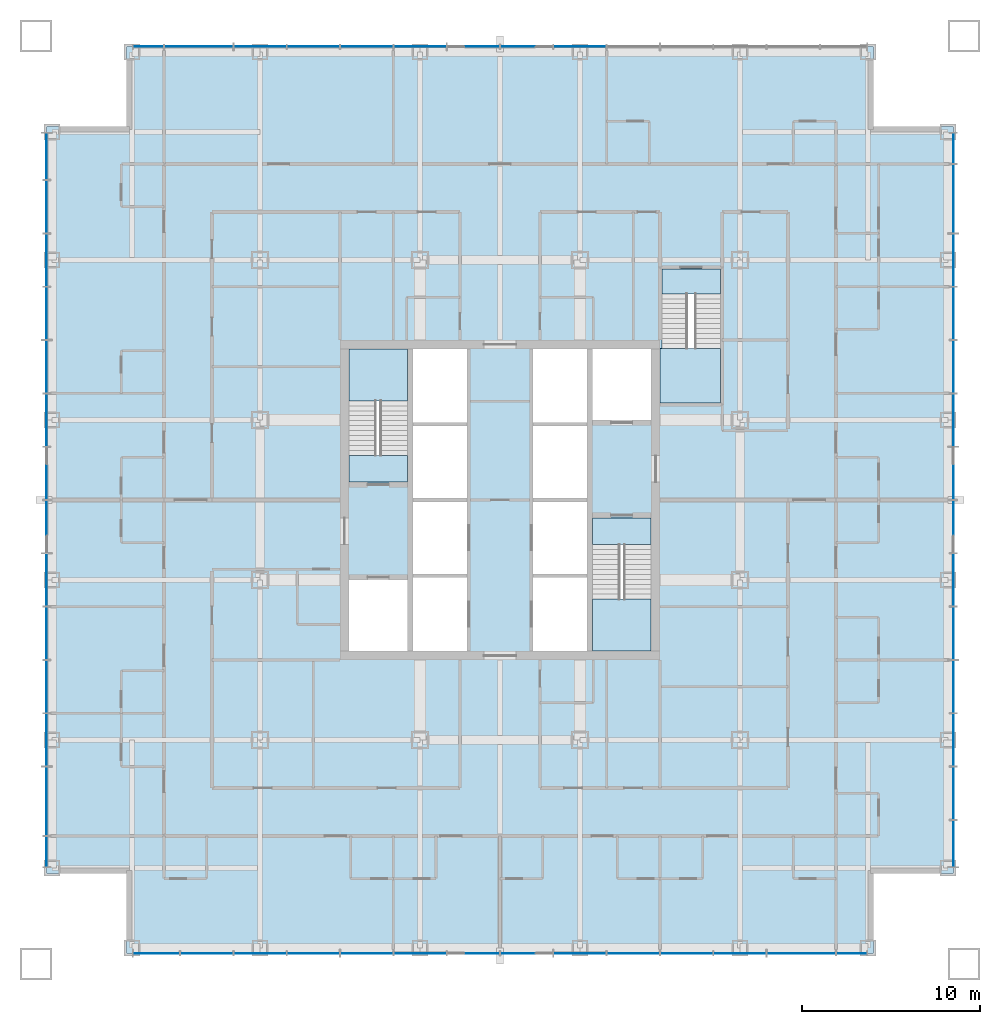
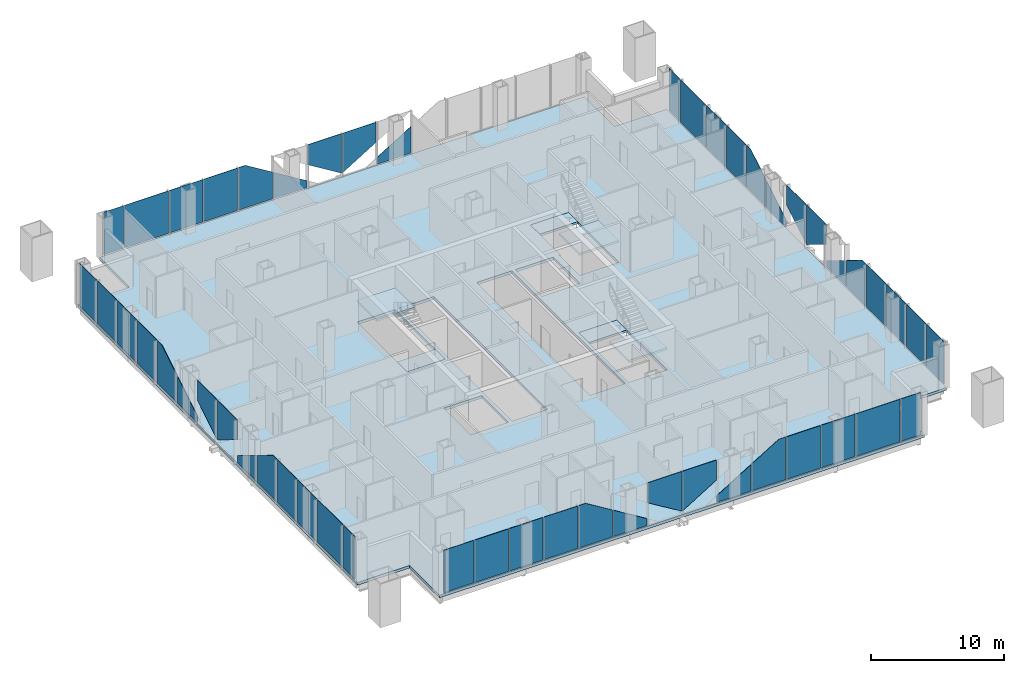
# One storey, part 6 of 13: 51 plates, 7 slabs, 7 elements without a shape of their own.
"""IFC4 building model written with IfcOpenShell, lengths in metres."""

from ifc_helpers import new_model, si_unit, direction, frame, origin, origin_2d, place, context, subcontext, project, spatial, polyline, rectangle, outline, extrude, material, layer, layer_set, type_object, element, aggregate, save


model = new_model("IFC4")

# Units and contexts
model_context = context("Model", 3, precision=1e-05, world=origin(), true_north=direction((0.0, 1.0)))
body_context = subcontext(model_context, "Body", "Model", "MODEL_VIEW")
ifc_project = project(units=[si_unit("LENGTHUNIT", "METRE"), si_unit("AREAUNIT", "SQUARE_METRE"), si_unit("VOLUMEUNIT", "CUBIC_METRE"), si_unit("PLANEANGLEUNIT", "RADIAN"), si_unit("MASSUNIT", "GRAM", prefix="KILO")], contexts=[model_context])

# Site, building, storey
site_placement = place(None, origin())
site = spatial("IfcSite", under=ifc_project, at=site_placement, CompositionType="ELEMENT")
building_placement = place(site_placement, origin())
building = spatial("IfcBuilding", under=site, at=building_placement, Name="Malebo Sky Hospital", CompositionType="ELEMENT")
storey_placement = place(building_placement, frame((0.0, 0.0, 79.0)))
storey = spatial("IfcBuildingStorey", under=building, at=storey_placement, Name="L18", CompositionType="ELEMENT", Elevation=79.0)

# Slab
ifc_material_1 = material(Name="Concrete C40/50", Category="concrete")
ifc_layer_1 = layer(ifc_material_1, 0.25)
ifc_layer_set_1 = layer_set([ifc_layer_1], Name="COMPOSITE FLOOR SLAB 250")
slab_type_1 = type_object("IfcSlabType", Name="COMPOSITE FLOOR SLAB 250", PredefinedType="FLOOR", material=ifc_layer_set_1)
slab_1_placement = place(storey_placement, frame((0.0, 0.0, -0.25)))
element("IfcSlab", 1, at=slab_1_placement, inside=storey, type_object=slab_type_1, Name="Floor slab L18", PredefinedType="FLOOR", context=body_context, shape_type="SweptSolid", body=[
    extrude(outline(polyline([(39.0, 87.5), (39.0, 83.0), (34.5, 83.0), (34.5, 41.0), (39.0, 41.0), (39.0, 36.5), (81.0, 36.5), (81.0, 41.0), (85.5, 41.0), (85.5, 83.0), (81.0, 83.0), (81.0, 87.5), (39.0, 87.5)]), holes=[polyline([(55.10009765625, 70.5), (58.14990234375, 70.5), (58.14990234375, 53.5), (55.10009765625, 53.5), (55.10009765625, 70.5)]), polyline([(64.89990234375, 70.5), (64.89990234375, 53.5), (61.85009765625, 53.5), (61.85009765625, 70.5), (64.89990234375, 70.5)]), polyline([(54.800048828125, 63.0), (51.5, 63.0), (51.5, 70.5), (54.800048828125, 70.5), (54.800048828125, 63.0)]), polyline([(51.5, 53.5), (51.5, 57.5), (54.800048828125, 57.5), (54.800048828125, 53.5), (51.5, 53.5)]), polyline([(65.199951171875, 61.0), (68.5, 61.0), (68.5, 53.5), (65.199951171875, 53.5), (65.199951171875, 61.0)]), polyline([(68.5, 70.5), (68.5, 66.5), (65.199951171875, 66.5), (65.199951171875, 70.5), (68.5, 70.5)]), polyline([(69.0, 67.449951171875), (69.0, 70.52001953125), (69.10009765625, 70.52001953125), (69.10009765625, 75.0), (72.39990234375, 75.0), (72.39990234375, 67.449951171875), (69.10009765625, 67.449951171875), (69.0, 67.449951171875)])]), origin(), (0.0, 0.0, 1.0), 0.25),
])

# Stair, slabs
stair_type_1 = type_object("IfcStairType", Name="HALF-TURN STAIR 1500 R167", PredefinedType="HALF_TURN_STAIR", material=ifc_material_1)
stair_1_placement = place(storey_placement, origin())
stair_1 = element("IfcStair", 2, at=stair_1_placement, inside=storey, type_object=stair_type_1, Name="Stair S1 L18 type ST1", PredefinedType="HALF_TURN_STAIR")
ifc_layer_2 = layer(ifc_material_1, 0.199951171875)
ifc_layer_set_2 = layer_set([ifc_layer_2], Name="STAIR LANDING 200")
slab_type_2 = type_object("IfcSlabType", Name="STAIR LANDING 200", PredefinedType="LANDING", material=ifc_layer_set_2)
slab_2_placement = place(storey_placement, frame((0.0, 0.0, -0.199951171875)))
slab_2 = element("IfcSlab", 3, at=slab_2_placement, type_object=slab_type_2, Name="S1 landing 1", PredefinedType="LANDING", context=body_context, shape_type="SweptSolid", body=[
    extrude(outline(polyline([(51.5, 63.0), (54.800048828125, 63.0), (54.800048828125, 64.5), (51.5, 64.5), (51.5, 63.0)])), origin(), (0.0, 0.0, 1.0), 0.199951171875),
])
slab_3_placement = place(storey_placement, frame((0.0, 0.0, 1.800048828125)))
slab_3 = element("IfcSlab", 4, at=slab_3_placement, type_object=slab_type_2, Name="S1 landing 2", PredefinedType="LANDING", context=body_context, shape_type="SweptSolid", body=[
    extrude(outline(polyline([(51.5, 67.580078125), (54.800048828125, 67.580078125), (54.800048828125, 70.5), (51.5, 70.5), (51.5, 67.580078125)])), origin(), (0.0, 0.0, 1.0), 0.199951171875),
])
aggregate(stair_1, [slab_2, slab_3])

stair_2_placement = place(storey_placement, origin())
stair_2 = element("IfcStair", 5, at=stair_2_placement, inside=storey, type_object=stair_type_1, Name="Stair S2 L18 type ST1", PredefinedType="HALF_TURN_STAIR")
slab_4_placement = place(storey_placement, frame((0.0, 0.0, -0.199951171875)))
slab_4 = element("IfcSlab", 6, at=slab_4_placement, type_object=slab_type_2, Name="S2 landing 1", PredefinedType="LANDING", context=body_context, shape_type="SweptSolid", body=[
    extrude(outline(polyline([(65.199951171875, 59.5), (68.5, 59.5), (68.5, 61.0), (65.199951171875, 61.0), (65.199951171875, 59.5)])), origin(), (0.0, 0.0, 1.0), 0.199951171875),
])
slab_5_placement = place(storey_placement, frame((0.0, 0.0, 1.800048828125)))
slab_5 = element("IfcSlab", 7, at=slab_5_placement, type_object=slab_type_2, Name="S2 landing 2", PredefinedType="LANDING", context=body_context, shape_type="SweptSolid", body=[
    extrude(outline(polyline([(65.199951171875, 53.5), (68.5, 53.5), (68.5, 56.419921875), (65.199951171875, 56.419921875), (65.199951171875, 53.5)])), origin(), (0.0, 0.0, 1.0), 0.199951171875),
])
aggregate(stair_2, [slab_4, slab_5])

stair_type_2 = type_object("IfcStairType", Name="HALF-TURN STAIR 1400 R167", PredefinedType="HALF_TURN_STAIR", material=ifc_material_1)
stair_3_placement = place(storey_placement, origin())
stair_3 = element("IfcStair", 8, at=stair_3_placement, inside=storey, type_object=stair_type_2, Name="Stair S3 L18 type ST1B", PredefinedType="HALF_TURN_STAIR")
slab_6_placement = place(storey_placement, frame((0.0, 0.0, -0.199951171875)))
slab_6 = element("IfcSlab", 9, at=slab_6_placement, type_object=slab_type_2, Name="S3 landing 1", PredefinedType="LANDING", context=body_context, shape_type="SweptSolid", body=[
    extrude(outline(polyline([(69.10009765625, 73.60009765625), (72.39990234375, 73.60009765625), (72.39990234375, 75.0), (69.10009765625, 75.0), (69.10009765625, 73.60009765625)])), origin(), (0.0, 0.0, 1.0), 0.199951171875),
])
slab_7_placement = place(storey_placement, frame((0.0, 0.0, 1.800048828125)))
slab_7 = element("IfcSlab", 10, at=slab_7_placement, type_object=slab_type_2, Name="S3 landing 2", PredefinedType="LANDING", context=body_context, shape_type="SweptSolid", body=[
    extrude(outline(polyline([(69.0, 67.449951171875), (72.39990234375, 67.449951171875), (72.39990234375, 70.52001953125), (69.0, 70.52001953125), (69.0, 67.449951171875)])), origin(), (0.0, 0.0, 1.0), 0.199951171875),
])
aggregate(stair_3, [slab_6, slab_7])

# Curtain wall, plates
ifc_material_2 = material(Name="Anodised aluminium, natural silver", Category="aluminium")
ifc_layer_3 = layer(ifc_material_2, 0.25)
ifc_layer_set_3 = layer_set([ifc_layer_3], Name="WARD CURTAIN WALL NORTH AND SOUTH")
curtain_wall_type_1 = type_object("IfcCurtainWallType", Name="WARD CURTAIN WALL NORTH AND SOUTH", PredefinedType="NOTDEFINED", material=ifc_layer_set_3)
curtain_wall_1_placement = place(storey_placement, origin())
curtain_wall_1 = element("IfcCurtainWall", 11, at=curtain_wall_1_placement, inside=storey, type_object=curtain_wall_type_1, Name="NS curtain wall N", PredefinedType="NOTDEFINED")
ifc_material_3 = material(Name="Clear low-iron double glazing", Category="glass")
ifc_layer_4 = layer(ifc_material_3, 0.031982421875)
ifc_layer_set_4 = layer_set([ifc_layer_4], Name="VISION PANEL CLEAR 32")
plate_type = type_object("IfcPlateType", Name="VISION PANEL CLEAR 32", PredefinedType="CURTAIN_PANEL", material=ifc_layer_set_4)
plate_1_placement = place(storey_placement, frame((40.21875, 87.5, 0.10009765625), z_axis=(0.0, 0.0, 1.0), x_axis=(1.0, 0.0, 0.0)))
plate_1 = element("IfcPlate", 12, at=plate_1_placement, type_object=plate_type, Name="Panel 1", PredefinedType="CURTAIN_PANEL", context=body_context, shape_type="SweptSolid", body=[
    extrude(rectangle(XDim=1.6875, YDim=0.031982421875, at=origin_2d()), origin(), (0.0, 0.0, 1.0), 3.889892578125),
])
plate_2_placement = place(storey_placement, frame((43.050048828125, 87.5, 0.10009765625), z_axis=(0.0, 0.0, 1.0), x_axis=(1.0, 0.0, 0.0)))
plate_2 = element("IfcPlate", 13, at=plate_2_placement, type_object=plate_type, Name="Panel 2", PredefinedType="CURTAIN_PANEL", context=body_context, shape_type="SweptSolid", body=[
    extrude(rectangle(XDim=3.824951171875, YDim=0.031982421875, at=origin_2d()), origin(), (0.0, 0.0, 1.0), 3.889892578125),
])
plate_3_placement = place(storey_placement, frame((46.5, 87.5, 0.10009765625), z_axis=(0.0, 0.0, 1.0), x_axis=(1.0, 0.0, 0.0)))
plate_3 = element("IfcPlate", 14, at=plate_3_placement, type_object=plate_type, Name="Panel 3", PredefinedType="CURTAIN_PANEL", context=body_context, shape_type="SweptSolid", body=[
    extrude(rectangle(XDim=2.925048828125, YDim=0.031982421875, at=origin_2d()), origin(), (0.0, 0.0, 1.0), 3.889892578125),
])
plate_4_placement = place(storey_placement, frame((49.5, 87.5, 0.10009765625), z_axis=(0.0, 0.0, 1.0), x_axis=(1.0, 0.0, 0.0)))
plate_4 = element("IfcPlate", 15, at=plate_4_placement, type_object=plate_type, Name="Panel 4", PredefinedType="CURTAIN_PANEL", context=body_context, shape_type="SweptSolid", body=[
    extrude(rectangle(XDim=2.925048828125, YDim=0.031982421875, at=origin_2d()), origin(), (0.0, 0.0, 1.0), 3.889892578125),
])
plate_5_placement = place(storey_placement, frame((52.5, 87.5, 0.10009765625), z_axis=(0.0, 0.0, 1.0), x_axis=(1.0, 0.0, 0.0)))
plate_5 = element("IfcPlate", 16, at=plate_5_placement, type_object=plate_type, Name="Panel 5", PredefinedType="CURTAIN_PANEL", context=body_context, shape_type="SweptSolid", body=[
    extrude(outline(polyline([(-1.46240234375, 0.0), (1.46240234375, 0.0), (1.46240234375, 2.467529296875), (-0.85791015625, 3.889892578125), (-1.46240234375, 3.889892578125), (-1.46240234375, 0.0)])), frame((0.0, 0.01611328125, 0.0), z_axis=(0.0, -1.0, 0.0), x_axis=(1.0, 0.0, 0.0)), (0.0, 0.0, 1.0), 0.031982421875),
])
plate_6_placement = place(storey_placement, frame((55.5, 87.5, 0.10009765625), z_axis=(0.0, 0.0, 1.0), x_axis=(1.0, 0.0, 0.0)))
plate_6 = element("IfcPlate", 17, at=plate_6_placement, type_object=plate_type, Name="Panel 6", PredefinedType="CURTAIN_PANEL", context=body_context, shape_type="SweptSolid", body=[
    extrude(outline(polyline([(-1.46240234375, 0.0), (1.46240234375, 0.0), (1.46240234375, 0.62841796875), (-1.46240234375, 2.421630859375), (-1.46240234375, 0.0)])), frame((0.0, 0.01611328125, 0.0), z_axis=(0.0, -1.0, 0.0), x_axis=(1.0, 0.0, 0.0)), (0.0, 0.0, 1.0), 0.031982421875),
])
plate_7_placement = place(storey_placement, frame((58.5, 87.5, 0.356689453125), z_axis=(0.0, 0.0, 1.0), x_axis=(1.0, 0.0, 0.0)))
plate_7 = element("IfcPlate", 18, at=plate_7_placement, type_object=plate_type, Name="Panel 7", PredefinedType="CURTAIN_PANEL", context=body_context, shape_type="SweptSolid", body=[
    extrude(outline(polyline([(1.46240234375, 0.0), (1.46240234375, 3.63330078125), (-1.46240234375, 3.63330078125), (-1.46240234375, 1.793212890625), (1.46240234375, 0.0)])), frame((0.0, 0.01611328125, 0.0), z_axis=(0.0, -1.0, 0.0), x_axis=(1.0, 0.0, 0.0)), (0.0, 0.0, 1.0), 0.031982421875),
])
plate_8_placement = place(storey_placement, frame((61.5, 87.5, 0.356689453125), z_axis=(0.0, 0.0, 1.0), x_axis=(1.0, 0.0, 0.0)))
plate_8 = element("IfcPlate", 19, at=plate_8_placement, type_object=plate_type, Name="Panel 8", PredefinedType="CURTAIN_PANEL", context=body_context, shape_type="SweptSolid", body=[
    extrude(outline(polyline([(-1.46240234375, 0.0), (1.46240234375, 1.793212890625), (1.46240234375, 3.63330078125), (-1.46240234375, 3.63330078125), (-1.46240234375, 0.0)])), frame((0.0, 0.01611328125, 0.0), z_axis=(0.0, -1.0, 0.0), x_axis=(1.0, 0.0, 0.0)), (0.0, 0.0, 1.0), 0.031982421875),
])
plate_9_placement = place(storey_placement, frame((64.5, 87.5, 0.10009765625), z_axis=(0.0, 0.0, 1.0), x_axis=(1.0, 0.0, 0.0)))
plate_9 = element("IfcPlate", 20, at=plate_9_placement, type_object=plate_type, Name="Panel 9", PredefinedType="CURTAIN_PANEL", context=body_context, shape_type="SweptSolid", body=[
    extrude(outline(polyline([(-1.46240234375, 0.0), (1.46240234375, 0.0), (1.46240234375, 2.421630859375), (-1.46240234375, 0.62841796875), (-1.46240234375, 0.0)])), frame((0.0, 0.01611328125, 0.0), z_axis=(0.0, -1.0, 0.0), x_axis=(1.0, 0.0, 0.0)), (0.0, 0.0, 1.0), 0.031982421875),
])
aggregate(curtain_wall_1, [plate_1, plate_2, plate_3, plate_4, plate_5, plate_6, plate_7, plate_8, plate_9])

ifc_layer_5 = layer(ifc_material_2, 0.25)
ifc_layer_set_5 = layer_set([ifc_layer_5], Name="WARD CURTAIN WALL EAST AND WEST")
curtain_wall_type_2 = type_object("IfcCurtainWallType", Name="WARD CURTAIN WALL EAST AND WEST", PredefinedType="NOTDEFINED", material=ifc_layer_set_5)
curtain_wall_2_placement = place(storey_placement, origin())
curtain_wall_2 = element("IfcCurtainWall", 21, at=curtain_wall_2_placement, inside=storey, type_object=curtain_wall_type_2, Name="EW curtain wall W", PredefinedType="NOTDEFINED")
plate_10_placement = place(storey_placement, frame((34.5, 42.21875, 0.10009765625), z_axis=(0.0, 0.0, 1.0), x_axis=(0.0, 1.0, 0.0)))
plate_10 = element("IfcPlate", 22, at=plate_10_placement, type_object=plate_type, Name="Panel 1", PredefinedType="CURTAIN_PANEL", context=body_context, shape_type="SweptSolid", body=[
    extrude(rectangle(XDim=1.6875, YDim=0.031982421875, at=origin_2d()), origin(), (0.0, 0.0, 1.0), 3.889892578125),
])
plate_11_placement = place(storey_placement, frame((34.5, 45.050048828125, 0.10009765625), z_axis=(0.0, 0.0, 1.0), x_axis=(0.0, 1.0, 0.0)))
plate_11 = element("IfcPlate", 23, at=plate_11_placement, type_object=plate_type, Name="Panel 2", PredefinedType="CURTAIN_PANEL", context=body_context, shape_type="SweptSolid", body=[
    extrude(rectangle(XDim=3.824951171875, YDim=0.031982421875, at=origin_2d()), origin(), (0.0, 0.0, 1.0), 3.889892578125),
])
plate_12_placement = place(storey_placement, frame((34.5, 48.5, 0.10009765625), z_axis=(0.0, 0.0, 1.0), x_axis=(0.0, 1.0, 0.0)))
plate_12 = element("IfcPlate", 24, at=plate_12_placement, type_object=plate_type, Name="Panel 3", PredefinedType="CURTAIN_PANEL", context=body_context, shape_type="SweptSolid", body=[
    extrude(rectangle(XDim=2.925048828125, YDim=0.031982421875, at=origin_2d()), origin(), (0.0, 0.0, 1.0), 3.889892578125),
])
plate_13_placement = place(storey_placement, frame((34.5, 51.5, 0.10009765625), z_axis=(0.0, 0.0, 1.0), x_axis=(0.0, 1.0, 0.0)))
plate_13 = element("IfcPlate", 25, at=plate_13_placement, type_object=plate_type, Name="Panel 4", PredefinedType="CURTAIN_PANEL", context=body_context, shape_type="SweptSolid", body=[
    extrude(rectangle(XDim=2.925048828125, YDim=0.031982421875, at=origin_2d()), origin(), (0.0, 0.0, 1.0), 3.889892578125),
])
plate_14_placement = place(storey_placement, frame((34.5, 54.5, 0.10009765625), z_axis=(0.0, 0.0, 1.0), x_axis=(0.0, 1.0, 0.0)))
plate_14 = element("IfcPlate", 26, at=plate_14_placement, type_object=plate_type, Name="Panel 5", PredefinedType="CURTAIN_PANEL", context=body_context, shape_type="SweptSolid", body=[
    extrude(outline(polyline([(-1.46240234375, 0.0), (1.46240234375, 0.0), (1.46240234375, 2.467529296875), (-0.85791015625, 3.889892578125), (-1.46240234375, 3.889892578125), (-1.46240234375, 0.0)])), frame((0.0, 0.01611328125, 0.0), z_axis=(0.0, -1.0, 0.0), x_axis=(1.0, 0.0, 0.0)), (0.0, 0.0, 1.0), 0.031982421875),
])
plate_15_placement = place(storey_placement, frame((34.5, 57.5, 0.10009765625), z_axis=(0.0, 0.0, 1.0), x_axis=(0.0, 1.0, 0.0)))
plate_15 = element("IfcPlate", 27, at=plate_15_placement, type_object=plate_type, Name="Panel 6", PredefinedType="CURTAIN_PANEL", context=body_context, shape_type="SweptSolid", body=[
    extrude(outline(polyline([(-1.46240234375, 0.0), (1.46240234375, 0.0), (1.46240234375, 0.62841796875), (-1.46240234375, 2.421630859375), (-1.46240234375, 0.0)])), frame((0.0, 0.01611328125, 0.0), z_axis=(0.0, -1.0, 0.0), x_axis=(1.0, 0.0, 0.0)), (0.0, 0.0, 1.0), 0.031982421875),
])
plate_16_placement = place(storey_placement, frame((34.5, 60.5, 0.356689453125), z_axis=(0.0, 0.0, 1.0), x_axis=(0.0, 1.0, 0.0)))
plate_16 = element("IfcPlate", 28, at=plate_16_placement, type_object=plate_type, Name="Panel 7", PredefinedType="CURTAIN_PANEL", context=body_context, shape_type="SweptSolid", body=[
    extrude(outline(polyline([(1.46240234375, 0.0), (1.46240234375, 3.63330078125), (-1.46240234375, 3.63330078125), (-1.46240234375, 1.793212890625), (1.46240234375, 0.0)])), frame((0.0, 0.01611328125, 0.0), z_axis=(0.0, -1.0, 0.0), x_axis=(1.0, 0.0, 0.0)), (0.0, 0.0, 1.0), 0.031982421875),
])
plate_17_placement = place(storey_placement, frame((34.5, 63.5, 0.356689453125), z_axis=(0.0, 0.0, 1.0), x_axis=(0.0, 1.0, 0.0)))
plate_17 = element("IfcPlate", 29, at=plate_17_placement, type_object=plate_type, Name="Panel 8", PredefinedType="CURTAIN_PANEL", context=body_context, shape_type="SweptSolid", body=[
    extrude(outline(polyline([(-1.46240234375, 0.0), (1.46240234375, 1.793212890625), (1.46240234375, 3.63330078125), (-1.46240234375, 3.63330078125), (-1.46240234375, 0.0)])), frame((0.0, 0.01611328125, 0.0), z_axis=(0.0, -1.0, 0.0), x_axis=(1.0, 0.0, 0.0)), (0.0, 0.0, 1.0), 0.031982421875),
])
plate_18_placement = place(storey_placement, frame((34.5, 66.5, 0.10009765625), z_axis=(0.0, 0.0, 1.0), x_axis=(0.0, 1.0, 0.0)))
plate_18 = element("IfcPlate", 30, at=plate_18_placement, type_object=plate_type, Name="Panel 9", PredefinedType="CURTAIN_PANEL", context=body_context, shape_type="SweptSolid", body=[
    extrude(outline(polyline([(-1.46240234375, 0.0), (1.46240234375, 0.0), (1.46240234375, 2.421630859375), (-1.46240234375, 0.62841796875), (-1.46240234375, 0.0)])), frame((0.0, 0.01611328125, 0.0), z_axis=(0.0, -1.0, 0.0), x_axis=(1.0, 0.0, 0.0)), (0.0, 0.0, 1.0), 0.031982421875),
])
plate_19_placement = place(storey_placement, frame((34.5, 69.5, 0.10009765625), z_axis=(0.0, 0.0, 1.0), x_axis=(0.0, 1.0, 0.0)))
plate_19 = element("IfcPlate", 31, at=plate_19_placement, type_object=plate_type, Name="Panel 10", PredefinedType="CURTAIN_PANEL", context=body_context, shape_type="SweptSolid", body=[
    extrude(outline(polyline([(-1.46240234375, 0.0), (1.46240234375, 0.0), (1.46240234375, 3.889892578125), (0.85791015625, 3.889892578125), (-1.46240234375, 2.467529296875), (-1.46240234375, 0.0)])), frame((0.0, 0.01611328125, 0.0), z_axis=(0.0, -1.0, 0.0), x_axis=(1.0, 0.0, 0.0)), (0.0, 0.0, 1.0), 0.031982421875),
])
plate_20_placement = place(storey_placement, frame((34.5, 72.5, 0.10009765625), z_axis=(0.0, 0.0, 1.0), x_axis=(0.0, 1.0, 0.0)))
plate_20 = element("IfcPlate", 32, at=plate_20_placement, type_object=plate_type, Name="Panel 11", PredefinedType="CURTAIN_PANEL", context=body_context, shape_type="SweptSolid", body=[
    extrude(rectangle(XDim=2.925048828125, YDim=0.031982421875, at=origin_2d()), origin(), (0.0, 0.0, 1.0), 3.889892578125),
])
plate_21_placement = place(storey_placement, frame((34.5, 75.5, 0.10009765625), z_axis=(0.0, 0.0, 1.0), x_axis=(0.0, 1.0, 0.0)))
plate_21 = element("IfcPlate", 33, at=plate_21_placement, type_object=plate_type, Name="Panel 12", PredefinedType="CURTAIN_PANEL", context=body_context, shape_type="SweptSolid", body=[
    extrude(rectangle(XDim=2.925048828125, YDim=0.031982421875, at=origin_2d()), origin(), (0.0, 0.0, 1.0), 3.889892578125),
])
plate_22_placement = place(storey_placement, frame((34.5, 78.5, 0.10009765625), z_axis=(0.0, 0.0, 1.0), x_axis=(0.0, 1.0, 0.0)))
plate_22 = element("IfcPlate", 34, at=plate_22_placement, type_object=plate_type, Name="Panel 13", PredefinedType="CURTAIN_PANEL", context=body_context, shape_type="SweptSolid", body=[
    extrude(rectangle(XDim=2.925048828125, YDim=0.031982421875, at=origin_2d()), origin(), (0.0, 0.0, 1.0), 3.889892578125),
])
plate_23_placement = place(storey_placement, frame((34.5, 81.331298828125, 0.10009765625), z_axis=(0.0, 0.0, 1.0), x_axis=(0.0, 1.0, 0.0)))
plate_23 = element("IfcPlate", 35, at=plate_23_placement, type_object=plate_type, Name="Panel 14", PredefinedType="CURTAIN_PANEL", context=body_context, shape_type="SweptSolid", body=[
    extrude(rectangle(XDim=2.58740234375, YDim=0.031982421875, at=origin_2d()), origin(), (0.0, 0.0, 1.0), 3.889892578125),
])
aggregate(curtain_wall_2, [plate_10, plate_11, plate_12, plate_13, plate_14, plate_15, plate_16, plate_17, plate_18, plate_19, plate_20, plate_21, plate_22, plate_23])

curtain_wall_3_placement = place(storey_placement, origin())
curtain_wall_3 = element("IfcCurtainWall", 36, at=curtain_wall_3_placement, inside=storey, type_object=curtain_wall_type_1, Name="NS curtain wall S", PredefinedType="NOTDEFINED")
plate_24_placement = place(storey_placement, frame((79.78125, 36.5, 0.10009765625), z_axis=(0.0, 0.0, 1.0), x_axis=(-1.0, 0.0, 0.0)))
plate_24 = element("IfcPlate", 37, at=plate_24_placement, type_object=plate_type, Name="Panel 1", PredefinedType="CURTAIN_PANEL", context=body_context, shape_type="SweptSolid", body=[
    extrude(rectangle(XDim=1.6875, YDim=0.031982421875, at=origin_2d()), origin(), (0.0, 0.0, 1.0), 3.889892578125),
])
plate_25_placement = place(storey_placement, frame((76.949951171875, 36.5, 0.10009765625), z_axis=(0.0, 0.0, 1.0), x_axis=(-1.0, 0.0, 0.0)))
plate_25 = element("IfcPlate", 38, at=plate_25_placement, type_object=plate_type, Name="Panel 2", PredefinedType="CURTAIN_PANEL", context=body_context, shape_type="SweptSolid", body=[
    extrude(rectangle(XDim=3.824951171875, YDim=0.031982421875, at=origin_2d()), origin(), (0.0, 0.0, 1.0), 3.889892578125),
])
plate_26_placement = place(storey_placement, frame((73.5, 36.5, 0.10009765625), z_axis=(0.0, 0.0, 1.0), x_axis=(-1.0, 0.0, 0.0)))
plate_26 = element("IfcPlate", 39, at=plate_26_placement, type_object=plate_type, Name="Panel 3", PredefinedType="CURTAIN_PANEL", context=body_context, shape_type="SweptSolid", body=[
    extrude(rectangle(XDim=2.925048828125, YDim=0.031982421875, at=origin_2d()), origin(), (0.0, 0.0, 1.0), 3.889892578125),
])
plate_27_placement = place(storey_placement, frame((70.5, 36.5, 0.10009765625), z_axis=(0.0, 0.0, 1.0), x_axis=(-1.0, 0.0, 0.0)))
plate_27 = element("IfcPlate", 40, at=plate_27_placement, type_object=plate_type, Name="Panel 4", PredefinedType="CURTAIN_PANEL", context=body_context, shape_type="SweptSolid", body=[
    extrude(rectangle(XDim=2.925048828125, YDim=0.031982421875, at=origin_2d()), origin(), (0.0, 0.0, 1.0), 3.889892578125),
])
plate_28_placement = place(storey_placement, frame((67.5, 36.5, 0.10009765625), z_axis=(0.0, 0.0, 1.0), x_axis=(-1.0, 0.0, 0.0)))
plate_28 = element("IfcPlate", 41, at=plate_28_placement, type_object=plate_type, Name="Panel 5", PredefinedType="CURTAIN_PANEL", context=body_context, shape_type="SweptSolid", body=[
    extrude(outline(polyline([(-1.46240234375, 0.0), (1.46240234375, 0.0), (1.46240234375, 2.467529296875), (-0.85791015625, 3.889892578125), (-1.46240234375, 3.889892578125), (-1.46240234375, 0.0)])), frame((0.0, 0.01611328125, 0.0), z_axis=(0.0, -1.0, 0.0), x_axis=(1.0, 0.0, 0.0)), (0.0, 0.0, 1.0), 0.031982421875),
])
plate_29_placement = place(storey_placement, frame((64.5, 36.5, 0.10009765625), z_axis=(0.0, 0.0, 1.0), x_axis=(-1.0, 0.0, 0.0)))
plate_29 = element("IfcPlate", 42, at=plate_29_placement, type_object=plate_type, Name="Panel 6", PredefinedType="CURTAIN_PANEL", context=body_context, shape_type="SweptSolid", body=[
    extrude(outline(polyline([(-1.46240234375, 0.0), (1.46240234375, 0.0), (1.46240234375, 0.62841796875), (-1.46240234375, 2.421630859375), (-1.46240234375, 0.0)])), frame((0.0, 0.01611328125, 0.0), z_axis=(0.0, -1.0, 0.0), x_axis=(1.0, 0.0, 0.0)), (0.0, 0.0, 1.0), 0.031982421875),
])
plate_30_placement = place(storey_placement, frame((61.5, 36.5, 0.356689453125), z_axis=(0.0, 0.0, 1.0), x_axis=(-1.0, 0.0, 0.0)))
plate_30 = element("IfcPlate", 43, at=plate_30_placement, type_object=plate_type, Name="Panel 7", PredefinedType="CURTAIN_PANEL", context=body_context, shape_type="SweptSolid", body=[
    extrude(outline(polyline([(1.46240234375, 0.0), (1.46240234375, 3.63330078125), (-1.46240234375, 3.63330078125), (-1.46240234375, 1.793212890625), (1.46240234375, 0.0)])), frame((0.0, 0.01611328125, 0.0), z_axis=(0.0, -1.0, 0.0), x_axis=(1.0, 0.0, 0.0)), (0.0, 0.0, 1.0), 0.031982421875),
])
plate_31_placement = place(storey_placement, frame((58.5, 36.5, 0.356689453125), z_axis=(0.0, 0.0, 1.0), x_axis=(-1.0, 0.0, 0.0)))
plate_31 = element("IfcPlate", 44, at=plate_31_placement, type_object=plate_type, Name="Panel 8", PredefinedType="CURTAIN_PANEL", context=body_context, shape_type="SweptSolid", body=[
    extrude(outline(polyline([(-1.46240234375, 0.0), (1.46240234375, 1.793212890625), (1.46240234375, 3.63330078125), (-1.46240234375, 3.63330078125), (-1.46240234375, 0.0)])), frame((0.0, 0.01611328125, 0.0), z_axis=(0.0, -1.0, 0.0), x_axis=(1.0, 0.0, 0.0)), (0.0, 0.0, 1.0), 0.031982421875),
])
plate_32_placement = place(storey_placement, frame((55.5, 36.5, 0.10009765625), z_axis=(0.0, 0.0, 1.0), x_axis=(-1.0, 0.0, 0.0)))
plate_32 = element("IfcPlate", 45, at=plate_32_placement, type_object=plate_type, Name="Panel 9", PredefinedType="CURTAIN_PANEL", context=body_context, shape_type="SweptSolid", body=[
    extrude(outline(polyline([(-1.46240234375, 0.0), (1.46240234375, 0.0), (1.46240234375, 2.421630859375), (-1.46240234375, 0.62841796875), (-1.46240234375, 0.0)])), frame((0.0, 0.01611328125, 0.0), z_axis=(0.0, -1.0, 0.0), x_axis=(1.0, 0.0, 0.0)), (0.0, 0.0, 1.0), 0.031982421875),
])
plate_33_placement = place(storey_placement, frame((52.5, 36.5, 0.10009765625), z_axis=(0.0, 0.0, 1.0), x_axis=(-1.0, 0.0, 0.0)))
plate_33 = element("IfcPlate", 46, at=plate_33_placement, type_object=plate_type, Name="Panel 10", PredefinedType="CURTAIN_PANEL", context=body_context, shape_type="SweptSolid", body=[
    extrude(outline(polyline([(-1.46240234375, 0.0), (1.46240234375, 0.0), (1.46240234375, 3.889892578125), (0.85791015625, 3.889892578125), (-1.46240234375, 2.467529296875), (-1.46240234375, 0.0)])), frame((0.0, 0.01611328125, 0.0), z_axis=(0.0, -1.0, 0.0), x_axis=(1.0, 0.0, 0.0)), (0.0, 0.0, 1.0), 0.031982421875),
])
plate_34_placement = place(storey_placement, frame((49.5, 36.5, 0.10009765625), z_axis=(0.0, 0.0, 1.0), x_axis=(-1.0, 0.0, 0.0)))
plate_34 = element("IfcPlate", 47, at=plate_34_placement, type_object=plate_type, Name="Panel 11", PredefinedType="CURTAIN_PANEL", context=body_context, shape_type="SweptSolid", body=[
    extrude(rectangle(XDim=2.925048828125, YDim=0.031982421875, at=origin_2d()), origin(), (0.0, 0.0, 1.0), 3.889892578125),
])
plate_35_placement = place(storey_placement, frame((46.5, 36.5, 0.10009765625), z_axis=(0.0, 0.0, 1.0), x_axis=(-1.0, 0.0, 0.0)))
plate_35 = element("IfcPlate", 48, at=plate_35_placement, type_object=plate_type, Name="Panel 12", PredefinedType="CURTAIN_PANEL", context=body_context, shape_type="SweptSolid", body=[
    extrude(rectangle(XDim=2.925048828125, YDim=0.031982421875, at=origin_2d()), origin(), (0.0, 0.0, 1.0), 3.889892578125),
])
plate_36_placement = place(storey_placement, frame((43.5, 36.5, 0.10009765625), z_axis=(0.0, 0.0, 1.0), x_axis=(-1.0, 0.0, 0.0)))
plate_36 = element("IfcPlate", 49, at=plate_36_placement, type_object=plate_type, Name="Panel 13", PredefinedType="CURTAIN_PANEL", context=body_context, shape_type="SweptSolid", body=[
    extrude(rectangle(XDim=2.925048828125, YDim=0.031982421875, at=origin_2d()), origin(), (0.0, 0.0, 1.0), 3.889892578125),
])
plate_37_placement = place(storey_placement, frame((40.668701171875, 36.5, 0.10009765625), z_axis=(0.0, 0.0, 1.0), x_axis=(-1.0, 0.0, 0.0)))
plate_37 = element("IfcPlate", 50, at=plate_37_placement, type_object=plate_type, Name="Panel 14", PredefinedType="CURTAIN_PANEL", context=body_context, shape_type="SweptSolid", body=[
    extrude(rectangle(XDim=2.58740234375, YDim=0.031982421875, at=origin_2d()), origin(), (0.0, 0.0, 1.0), 3.889892578125),
])
aggregate(curtain_wall_3, [plate_24, plate_25, plate_26, plate_27, plate_28, plate_29, plate_30, plate_31, plate_32, plate_33, plate_34, plate_35, plate_36, plate_37])

curtain_wall_4_placement = place(storey_placement, origin())
curtain_wall_4 = element("IfcCurtainWall", 51, at=curtain_wall_4_placement, inside=storey, type_object=curtain_wall_type_2, Name="EW curtain wall E", PredefinedType="NOTDEFINED")
plate_38_placement = place(storey_placement, frame((85.5, 81.78125, 0.10009765625), z_axis=(0.0, 0.0, 1.0), x_axis=(0.0, -1.0, 0.0)))
plate_38 = element("IfcPlate", 52, at=plate_38_placement, type_object=plate_type, Name="Panel 1", PredefinedType="CURTAIN_PANEL", context=body_context, shape_type="SweptSolid", body=[
    extrude(rectangle(XDim=1.6875, YDim=0.031982421875, at=origin_2d()), origin(), (0.0, 0.0, 1.0), 3.889892578125),
])
plate_39_placement = place(storey_placement, frame((85.5, 78.949951171875, 0.10009765625), z_axis=(0.0, 0.0, 1.0), x_axis=(0.0, -1.0, 0.0)))
plate_39 = element("IfcPlate", 53, at=plate_39_placement, type_object=plate_type, Name="Panel 2", PredefinedType="CURTAIN_PANEL", context=body_context, shape_type="SweptSolid", body=[
    extrude(rectangle(XDim=3.824951171875, YDim=0.031982421875, at=origin_2d()), origin(), (0.0, 0.0, 1.0), 3.889892578125),
])
plate_40_placement = place(storey_placement, frame((85.5, 75.5, 0.10009765625), z_axis=(0.0, 0.0, 1.0), x_axis=(0.0, -1.0, 0.0)))
plate_40 = element("IfcPlate", 54, at=plate_40_placement, type_object=plate_type, Name="Panel 3", PredefinedType="CURTAIN_PANEL", context=body_context, shape_type="SweptSolid", body=[
    extrude(rectangle(XDim=2.925048828125, YDim=0.031982421875, at=origin_2d()), origin(), (0.0, 0.0, 1.0), 3.889892578125),
])
plate_41_placement = place(storey_placement, frame((85.5, 72.5, 0.10009765625), z_axis=(0.0, 0.0, 1.0), x_axis=(0.0, -1.0, 0.0)))
plate_41 = element("IfcPlate", 55, at=plate_41_placement, type_object=plate_type, Name="Panel 4", PredefinedType="CURTAIN_PANEL", context=body_context, shape_type="SweptSolid", body=[
    extrude(rectangle(XDim=2.925048828125, YDim=0.031982421875, at=origin_2d()), origin(), (0.0, 0.0, 1.0), 3.889892578125),
])
plate_42_placement = place(storey_placement, frame((85.5, 69.5, 0.10009765625), z_axis=(0.0, 0.0, 1.0), x_axis=(0.0, -1.0, 0.0)))
plate_42 = element("IfcPlate", 56, at=plate_42_placement, type_object=plate_type, Name="Panel 5", PredefinedType="CURTAIN_PANEL", context=body_context, shape_type="SweptSolid", body=[
    extrude(outline(polyline([(-1.46240234375, 0.0), (1.46240234375, 0.0), (1.46240234375, 2.467529296875), (-0.85791015625, 3.889892578125), (-1.46240234375, 3.889892578125), (-1.46240234375, 0.0)])), frame((0.0, 0.01611328125, 0.0), z_axis=(0.0, -1.0, 0.0), x_axis=(1.0, 0.0, 0.0)), (0.0, 0.0, 1.0), 0.031982421875),
])
plate_43_placement = place(storey_placement, frame((85.5, 66.5, 0.10009765625), z_axis=(0.0, 0.0, 1.0), x_axis=(0.0, -1.0, 0.0)))
plate_43 = element("IfcPlate", 57, at=plate_43_placement, type_object=plate_type, Name="Panel 6", PredefinedType="CURTAIN_PANEL", context=body_context, shape_type="SweptSolid", body=[
    extrude(outline(polyline([(-1.46240234375, 0.0), (1.46240234375, 0.0), (1.46240234375, 0.62841796875), (-1.46240234375, 2.421630859375), (-1.46240234375, 0.0)])), frame((0.0, 0.01611328125, 0.0), z_axis=(0.0, -1.0, 0.0), x_axis=(1.0, 0.0, 0.0)), (0.0, 0.0, 1.0), 0.031982421875),
])
plate_44_placement = place(storey_placement, frame((85.5, 63.5, 0.356689453125), z_axis=(0.0, 0.0, 1.0), x_axis=(0.0, -1.0, 0.0)))
plate_44 = element("IfcPlate", 58, at=plate_44_placement, type_object=plate_type, Name="Panel 7", PredefinedType="CURTAIN_PANEL", context=body_context, shape_type="SweptSolid", body=[
    extrude(outline(polyline([(1.46240234375, 0.0), (1.46240234375, 3.63330078125), (-1.46240234375, 3.63330078125), (-1.46240234375, 1.793212890625), (1.46240234375, 0.0)])), frame((0.0, 0.01611328125, 0.0), z_axis=(0.0, -1.0, 0.0), x_axis=(1.0, 0.0, 0.0)), (0.0, 0.0, 1.0), 0.031982421875),
])
plate_45_placement = place(storey_placement, frame((85.5, 60.5, 0.356689453125), z_axis=(0.0, 0.0, 1.0), x_axis=(0.0, -1.0, 0.0)))
plate_45 = element("IfcPlate", 59, at=plate_45_placement, type_object=plate_type, Name="Panel 8", PredefinedType="CURTAIN_PANEL", context=body_context, shape_type="SweptSolid", body=[
    extrude(outline(polyline([(-1.46240234375, 0.0), (1.46240234375, 1.793212890625), (1.46240234375, 3.63330078125), (-1.46240234375, 3.63330078125), (-1.46240234375, 0.0)])), frame((0.0, 0.01611328125, 0.0), z_axis=(0.0, -1.0, 0.0), x_axis=(1.0, 0.0, 0.0)), (0.0, 0.0, 1.0), 0.031982421875),
])
plate_46_placement = place(storey_placement, frame((85.5, 57.5, 0.10009765625), z_axis=(0.0, 0.0, 1.0), x_axis=(0.0, -1.0, 0.0)))
plate_46 = element("IfcPlate", 60, at=plate_46_placement, type_object=plate_type, Name="Panel 9", PredefinedType="CURTAIN_PANEL", context=body_context, shape_type="SweptSolid", body=[
    extrude(outline(polyline([(-1.46240234375, 0.0), (1.46240234375, 0.0), (1.46240234375, 2.421630859375), (-1.46240234375, 0.62841796875), (-1.46240234375, 0.0)])), frame((0.0, 0.01611328125, 0.0), z_axis=(0.0, -1.0, 0.0), x_axis=(1.0, 0.0, 0.0)), (0.0, 0.0, 1.0), 0.031982421875),
])
plate_47_placement = place(storey_placement, frame((85.5, 54.5, 0.10009765625), z_axis=(0.0, 0.0, 1.0), x_axis=(0.0, -1.0, 0.0)))
plate_47 = element("IfcPlate", 61, at=plate_47_placement, type_object=plate_type, Name="Panel 10", PredefinedType="CURTAIN_PANEL", context=body_context, shape_type="SweptSolid", body=[
    extrude(outline(polyline([(-1.46240234375, 0.0), (1.46240234375, 0.0), (1.46240234375, 3.889892578125), (0.85791015625, 3.889892578125), (-1.46240234375, 2.467529296875), (-1.46240234375, 0.0)])), frame((0.0, 0.01611328125, 0.0), z_axis=(0.0, -1.0, 0.0), x_axis=(1.0, 0.0, 0.0)), (0.0, 0.0, 1.0), 0.031982421875),
])
plate_48_placement = place(storey_placement, frame((85.5, 51.5, 0.10009765625), z_axis=(0.0, 0.0, 1.0), x_axis=(0.0, -1.0, 0.0)))
plate_48 = element("IfcPlate", 62, at=plate_48_placement, type_object=plate_type, Name="Panel 11", PredefinedType="CURTAIN_PANEL", context=body_context, shape_type="SweptSolid", body=[
    extrude(rectangle(XDim=2.925048828125, YDim=0.031982421875, at=origin_2d()), origin(), (0.0, 0.0, 1.0), 3.889892578125),
])
plate_49_placement = place(storey_placement, frame((85.5, 48.5, 0.10009765625), z_axis=(0.0, 0.0, 1.0), x_axis=(0.0, -1.0, 0.0)))
plate_49 = element("IfcPlate", 63, at=plate_49_placement, type_object=plate_type, Name="Panel 12", PredefinedType="CURTAIN_PANEL", context=body_context, shape_type="SweptSolid", body=[
    extrude(rectangle(XDim=2.925048828125, YDim=0.031982421875, at=origin_2d()), origin(), (0.0, 0.0, 1.0), 3.889892578125),
])
plate_50_placement = place(storey_placement, frame((85.5, 45.5, 0.10009765625), z_axis=(0.0, 0.0, 1.0), x_axis=(0.0, -1.0, 0.0)))
plate_50 = element("IfcPlate", 64, at=plate_50_placement, type_object=plate_type, Name="Panel 13", PredefinedType="CURTAIN_PANEL", context=body_context, shape_type="SweptSolid", body=[
    extrude(rectangle(XDim=2.925048828125, YDim=0.031982421875, at=origin_2d()), origin(), (0.0, 0.0, 1.0), 3.889892578125),
])
plate_51_placement = place(storey_placement, frame((85.5, 42.668701171875, 0.10009765625), z_axis=(0.0, 0.0, 1.0), x_axis=(0.0, -1.0, 0.0)))
plate_51 = element("IfcPlate", 65, at=plate_51_placement, type_object=plate_type, Name="Panel 14", PredefinedType="CURTAIN_PANEL", context=body_context, shape_type="SweptSolid", body=[
    extrude(rectangle(XDim=2.58740234375, YDim=0.031982421875, at=origin_2d()), origin(), (0.0, 0.0, 1.0), 3.889892578125),
])
aggregate(curtain_wall_4, [plate_38, plate_39, plate_40, plate_41, plate_42, plate_43, plate_44, plate_45, plate_46, plate_47, plate_48, plate_49, plate_50, plate_51])

save(model, "model.ifc")
